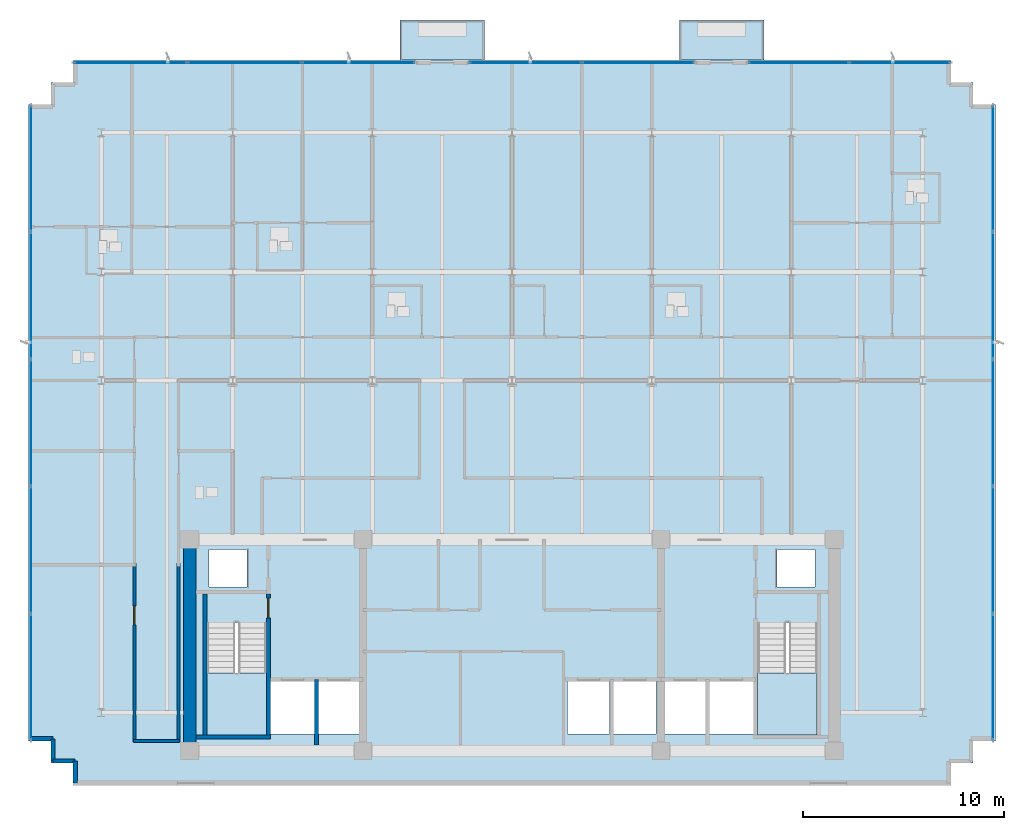
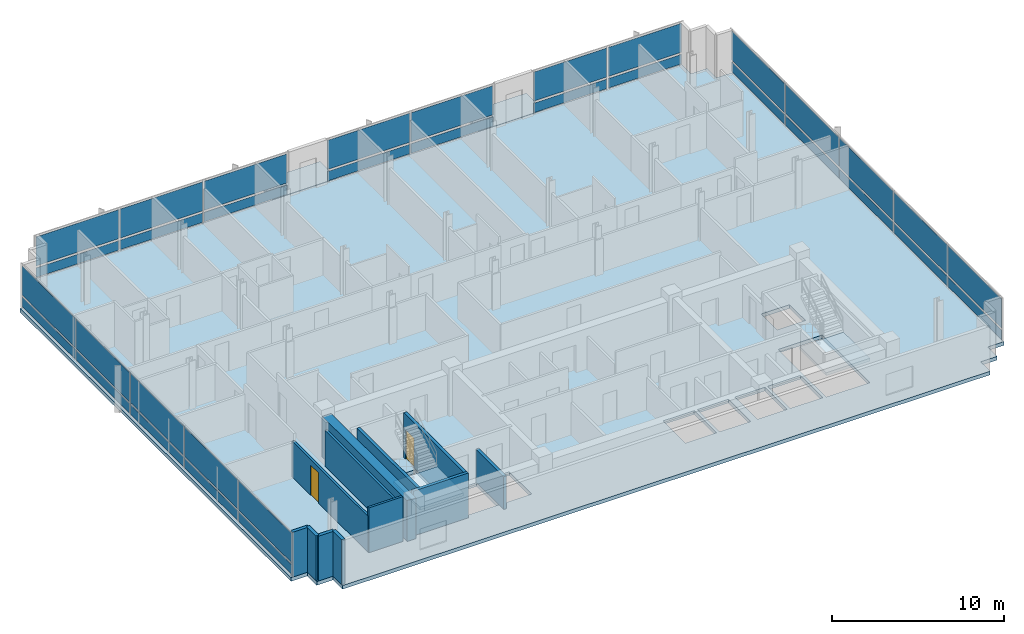
# One storey, part 7 of 14: 34 plates, 12 walls, 5 slabs, 2 doors, 2 openings, 7 elements without a shape of their own.
"""IFC4 building model written with IfcOpenShell, lengths in metres."""

from ifc_helpers import new_model, si_unit, direction, frame, frame_2d, origin, origin_2d, place, context, subcontext, project, spatial, polyline, rectangle, outline, extrude, material, layer, layer_set, type_object, element, fill, aggregate, save


model = new_model("IFC4")

# Units and contexts
model_context = context("Model", 3, precision=1e-05, world=origin(), true_north=direction((0.0, 1.0)))
body_context = subcontext(model_context, "Body", "Model", "MODEL_VIEW")
ifc_project = project(units=[si_unit("LENGTHUNIT", "METRE"), si_unit("AREAUNIT", "SQUARE_METRE"), si_unit("VOLUMEUNIT", "CUBIC_METRE"), si_unit("PLANEANGLEUNIT", "RADIAN"), si_unit("MASSUNIT", "GRAM", prefix="KILO")], contexts=[model_context])

# Site, building, storey
site_placement = place(None, origin())
site = spatial("IfcSite", under=ifc_project, at=site_placement, CompositionType="ELEMENT")
building_placement = place(site_placement, origin())
building = spatial("IfcBuilding", under=site, at=building_placement, Name="Solmavex Isthmus Hotel", CompositionType="ELEMENT")
storey_placement = place(building_placement, frame((0.0, 0.0, 248.85009765625)))
storey = spatial("IfcBuildingStorey", under=building, at=storey_placement, Name="L67", CompositionType="ELEMENT", Elevation=248.85009765625)

# Curtain wall, plates
ifc_material_1 = material(Name="Aluminium alloy 6063-T6", Category="aluminium")
curtain_wall_type = type_object("IfcCurtainWallType", Name="CW-SYS-04", PredefinedType="NOTDEFINED", material=ifc_material_1)
curtain_wall_1_placement = place(storey_placement, origin())
curtain_wall_1 = element("IfcCurtainWall", 1, at=curtain_wall_1_placement, inside=storey, type_object=curtain_wall_type, Name="Stick Curtain Wall CWL-L67-N1", PredefinedType="NOTDEFINED")
ifc_material_2 = material(Name="Clear low-E laminated glass", Category="glass")
ifc_layer_1 = layer(ifc_material_2, 0.033935546875)
ifc_layer_set_1 = layer_set([ifc_layer_1], Name="Clear low-E laminated glass")
plate_type = type_object("IfcPlateType", Name="CW-SYS-04-PNL", PredefinedType="CURTAIN_PANEL", material=ifc_layer_set_1)
plate_1_placement = place(storey_placement, frame((-18.942626953125, 21.179931640625, 0.14990234375), z_axis=(0.0, 0.0, 1.0), x_axis=(1.0, 0.0, 0.0)))
plate_1 = element("IfcPlate", 2, at=plate_1_placement, type_object=plate_type, Name="CW-04 panel 1.1", PredefinedType="CURTAIN_PANEL", context=body_context, shape_type="SweptSolid", body=[
    extrude(rectangle(XDim=5.56494140625, YDim=0.033935546875, at=origin_2d()), origin(), (0.0, 0.0, 1.0), 0.675048828125),
])
plate_2_placement = place(storey_placement, frame((-18.942626953125, 21.179931640625, 0.974853515625), z_axis=(0.0, 0.0, 1.0), x_axis=(1.0, 0.0, 0.0)))
plate_2 = element("IfcPlate", 3, at=plate_2_placement, type_object=plate_type, Name="CW-04 panel 1.2", PredefinedType="CURTAIN_PANEL", context=body_context, shape_type="SweptSolid", body=[
    extrude(rectangle(XDim=5.56494140625, YDim=0.033935546875, at=origin_2d()), origin(), (0.0, 0.0, 1.0), 2.06494140625),
])
plate_3_placement = place(storey_placement, frame((-13.283935546875, 21.179931640625, 0.14990234375), z_axis=(0.0, 0.0, 1.0), x_axis=(1.0, 0.0, 0.0)))
plate_3 = element("IfcPlate", 4, at=plate_3_placement, type_object=plate_type, Name="CW-04 panel 2.1", PredefinedType="CURTAIN_PANEL", context=body_context, shape_type="SweptSolid", body=[
    extrude(rectangle(XDim=5.602294921875, YDim=0.033935546875, at=origin_2d()), origin(), (0.0, 0.0, 1.0), 0.675048828125),
])
plate_4_placement = place(storey_placement, frame((-13.283935546875, 21.179931640625, 0.974853515625), z_axis=(0.0, 0.0, 1.0), x_axis=(1.0, 0.0, 0.0)))
plate_4 = element("IfcPlate", 5, at=plate_4_placement, type_object=plate_type, Name="CW-04 panel 2.2", PredefinedType="CURTAIN_PANEL", context=body_context, shape_type="SweptSolid", body=[
    extrude(rectangle(XDim=5.602294921875, YDim=0.033935546875, at=origin_2d()), origin(), (0.0, 0.0, 1.0), 2.06494140625),
])
plate_5_placement = place(storey_placement, frame((-7.62548828125, 21.179931640625, 0.14990234375), z_axis=(0.0, 0.0, 1.0), x_axis=(1.0, 0.0, 0.0)))
plate_5 = element("IfcPlate", 6, at=plate_5_placement, type_object=plate_type, Name="CW-04 panel 3.1", PredefinedType="CURTAIN_PANEL", context=body_context, shape_type="SweptSolid", body=[
    extrude(rectangle(XDim=5.56494140625, YDim=0.033935546875, at=origin_2d()), origin(), (0.0, 0.0, 1.0), 0.675048828125),
])
plate_6_placement = place(storey_placement, frame((-7.62548828125, 21.179931640625, 0.974853515625), z_axis=(0.0, 0.0, 1.0), x_axis=(1.0, 0.0, 0.0)))
plate_6 = element("IfcPlate", 7, at=plate_6_placement, type_object=plate_type, Name="CW-04 panel 3.2", PredefinedType="CURTAIN_PANEL", context=body_context, shape_type="SweptSolid", body=[
    extrude(rectangle(XDim=5.56494140625, YDim=0.033935546875, at=origin_2d()), origin(), (0.0, 0.0, 1.0), 2.06494140625),
])
aggregate(curtain_wall_1, [plate_1, plate_2, plate_3, plate_4, plate_5, plate_6])

curtain_wall_2_placement = place(storey_placement, origin())
curtain_wall_2 = element("IfcCurtainWall", 8, at=curtain_wall_2_placement, inside=storey, type_object=curtain_wall_type, Name="Stick Curtain Wall CWL-L67-N2", PredefinedType="NOTDEFINED")
plate_7_placement = place(storey_placement, frame((0.668701171875, 21.179931640625, 0.14990234375), z_axis=(0.0, 0.0, 1.0), x_axis=(1.0, 0.0, 0.0)))
plate_7 = element("IfcPlate", 9, at=plate_7_placement, type_object=plate_type, Name="CW-04 panel 1.1", PredefinedType="CURTAIN_PANEL", context=body_context, shape_type="SweptSolid", body=[
    extrude(rectangle(XDim=5.5234375, YDim=0.033935546875, at=origin_2d()), origin(), (0.0, 0.0, 1.0), 0.675048828125),
])
plate_8_placement = place(storey_placement, frame((0.668701171875, 21.179931640625, 0.974853515625), z_axis=(0.0, 0.0, 1.0), x_axis=(1.0, 0.0, 0.0)))
plate_8 = element("IfcPlate", 10, at=plate_8_placement, type_object=plate_type, Name="CW-04 panel 1.2", PredefinedType="CURTAIN_PANEL", context=body_context, shape_type="SweptSolid", body=[
    extrude(rectangle(XDim=5.5234375, YDim=0.033935546875, at=origin_2d()), origin(), (0.0, 0.0, 1.0), 2.06494140625),
])
plate_9_placement = place(storey_placement, frame((6.267333984375, 21.179931640625, 0.14990234375), z_axis=(0.0, 0.0, 1.0), x_axis=(1.0, 0.0, 0.0)))
plate_9 = element("IfcPlate", 11, at=plate_9_placement, type_object=plate_type, Name="CW-04 panel 2.1", PredefinedType="CURTAIN_PANEL", context=body_context, shape_type="SweptSolid", body=[
    extrude(rectangle(XDim=5.5234375, YDim=0.033935546875, at=origin_2d()), origin(), (0.0, 0.0, 1.0), 0.675048828125),
])
plate_10_placement = place(storey_placement, frame((6.267333984375, 21.179931640625, 0.974853515625), z_axis=(0.0, 0.0, 1.0), x_axis=(1.0, 0.0, 0.0)))
plate_10 = element("IfcPlate", 12, at=plate_10_placement, type_object=plate_type, Name="CW-04 panel 2.2", PredefinedType="CURTAIN_PANEL", context=body_context, shape_type="SweptSolid", body=[
    extrude(rectangle(XDim=5.5234375, YDim=0.033935546875, at=origin_2d()), origin(), (0.0, 0.0, 1.0), 2.06494140625),
])
aggregate(curtain_wall_2, [plate_7, plate_8, plate_9, plate_10])

curtain_wall_3_placement = place(storey_placement, origin())
curtain_wall_3 = element("IfcCurtainWall", 13, at=curtain_wall_3_placement, inside=storey, type_object=curtain_wall_type, Name="Stick Curtain Wall CWL-L67-N3", PredefinedType="NOTDEFINED")
plate_11_placement = place(storey_placement, frame((14.246826171875, 21.179931640625, 0.14990234375), z_axis=(0.0, 0.0, 1.0), x_axis=(1.0, 0.0, 0.0)))
plate_11 = element("IfcPlate", 14, at=plate_11_placement, type_object=plate_type, Name="CW-04 panel 1.1", PredefinedType="CURTAIN_PANEL", context=body_context, shape_type="SweptSolid", body=[
    extrude(rectangle(XDim=4.935546875, YDim=0.033935546875, at=origin_2d()), origin(), (0.0, 0.0, 1.0), 0.675048828125),
])
plate_12_placement = place(storey_placement, frame((14.246826171875, 21.179931640625, 0.974853515625), z_axis=(0.0, 0.0, 1.0), x_axis=(1.0, 0.0, 0.0)))
plate_12 = element("IfcPlate", 15, at=plate_12_placement, type_object=plate_type, Name="CW-04 panel 1.2", PredefinedType="CURTAIN_PANEL", context=body_context, shape_type="SweptSolid", body=[
    extrude(rectangle(XDim=4.935546875, YDim=0.033935546875, at=origin_2d()), origin(), (0.0, 0.0, 1.0), 2.06494140625),
])
plate_13_placement = place(storey_placement, frame((19.25732421875, 21.179931640625, 0.14990234375), z_axis=(0.0, 0.0, 1.0), x_axis=(1.0, 0.0, 0.0)))
plate_13 = element("IfcPlate", 16, at=plate_13_placement, type_object=plate_type, Name="CW-04 panel 2.1", PredefinedType="CURTAIN_PANEL", context=body_context, shape_type="SweptSolid", body=[
    extrude(rectangle(XDim=4.935546875, YDim=0.033935546875, at=origin_2d()), origin(), (0.0, 0.0, 1.0), 0.675048828125),
])
plate_14_placement = place(storey_placement, frame((19.25732421875, 21.179931640625, 0.974853515625), z_axis=(0.0, 0.0, 1.0), x_axis=(1.0, 0.0, 0.0)))
plate_14 = element("IfcPlate", 17, at=plate_14_placement, type_object=plate_type, Name="CW-04 panel 2.2", PredefinedType="CURTAIN_PANEL", context=body_context, shape_type="SweptSolid", body=[
    extrude(rectangle(XDim=4.935546875, YDim=0.033935546875, at=origin_2d()), origin(), (0.0, 0.0, 1.0), 2.06494140625),
])
aggregate(curtain_wall_3, [plate_11, plate_12, plate_13, plate_14])

curtain_wall_4_placement = place(storey_placement, origin())
curtain_wall_4 = element("IfcCurtainWall", 18, at=curtain_wall_4_placement, inside=storey, type_object=curtain_wall_type, Name="Stick Curtain Wall CWL-L67-W1", PredefinedType="NOTDEFINED")
plate_15_placement = place(storey_placement, frame((-23.8798828125, -9.3212890625, 0.14990234375), z_axis=(0.0, 0.0, 1.0), x_axis=(0.0, 1.0, 0.0)))
plate_15 = element("IfcPlate", 19, at=plate_15_placement, type_object=plate_type, Name="CW-04 panel 1.1", PredefinedType="CURTAIN_PANEL", context=body_context, shape_type="SweptSolid", body=[
    extrude(rectangle(XDim=6.20751953125, YDim=0.033935546875, at=origin_2d()), origin(), (0.0, 0.0, 1.0), 0.675048828125),
])
plate_16_placement = place(storey_placement, frame((-23.8798828125, -9.3212890625, 0.974853515625), z_axis=(0.0, 0.0, 1.0), x_axis=(0.0, 1.0, 0.0)))
plate_16 = element("IfcPlate", 20, at=plate_16_placement, type_object=plate_type, Name="CW-04 panel 1.2", PredefinedType="CURTAIN_PANEL", context=body_context, shape_type="SweptSolid", body=[
    extrude(rectangle(XDim=6.20751953125, YDim=0.033935546875, at=origin_2d()), origin(), (0.0, 0.0, 1.0), 2.06494140625),
])
plate_17_placement = place(storey_placement, frame((-23.8798828125, -3.02001953125, 0.14990234375), z_axis=(0.0, 0.0, 1.0), x_axis=(0.0, 1.0, 0.0)))
plate_17 = element("IfcPlate", 21, at=plate_17_placement, type_object=plate_type, Name="CW-04 panel 2.1", PredefinedType="CURTAIN_PANEL", context=body_context, shape_type="SweptSolid", body=[
    extrude(rectangle(XDim=6.2451171875, YDim=0.033935546875, at=origin_2d()), origin(), (0.0, 0.0, 1.0), 0.675048828125),
])
plate_18_placement = place(storey_placement, frame((-23.8798828125, -3.02001953125, 0.974853515625), z_axis=(0.0, 0.0, 1.0), x_axis=(0.0, 1.0, 0.0)))
plate_18 = element("IfcPlate", 22, at=plate_18_placement, type_object=plate_type, Name="CW-04 panel 2.2", PredefinedType="CURTAIN_PANEL", context=body_context, shape_type="SweptSolid", body=[
    extrude(rectangle(XDim=6.2451171875, YDim=0.033935546875, at=origin_2d()), origin(), (0.0, 0.0, 1.0), 2.06494140625),
])
plate_19_placement = place(storey_placement, frame((-23.8798828125, 3.300048828125, 0.14990234375), z_axis=(0.0, 0.0, 1.0), x_axis=(0.0, 1.0, 0.0)))
plate_19 = element("IfcPlate", 23, at=plate_19_placement, type_object=plate_type, Name="CW-04 panel 3.1", PredefinedType="CURTAIN_PANEL", context=body_context, shape_type="SweptSolid", body=[
    extrude(rectangle(XDim=6.2451171875, YDim=0.033935546875, at=origin_2d()), origin(), (0.0, 0.0, 1.0), 0.675048828125),
])
plate_20_placement = place(storey_placement, frame((-23.8798828125, 3.300048828125, 0.974853515625), z_axis=(0.0, 0.0, 1.0), x_axis=(0.0, 1.0, 0.0)))
plate_20 = element("IfcPlate", 24, at=plate_20_placement, type_object=plate_type, Name="CW-04 panel 3.2", PredefinedType="CURTAIN_PANEL", context=body_context, shape_type="SweptSolid", body=[
    extrude(rectangle(XDim=6.2451171875, YDim=0.033935546875, at=origin_2d()), origin(), (0.0, 0.0, 1.0), 2.06494140625),
])
plate_21_placement = place(storey_placement, frame((-23.8798828125, 9.6201171875, 0.14990234375), z_axis=(0.0, 0.0, 1.0), x_axis=(0.0, 1.0, 0.0)))
plate_21 = element("IfcPlate", 25, at=plate_21_placement, type_object=plate_type, Name="CW-04 panel 4.1", PredefinedType="CURTAIN_PANEL", context=body_context, shape_type="SweptSolid", body=[
    extrude(rectangle(XDim=6.2451171875, YDim=0.033935546875, at=origin_2d()), origin(), (0.0, 0.0, 1.0), 0.675048828125),
])
plate_22_placement = place(storey_placement, frame((-23.8798828125, 9.6201171875, 0.974853515625), z_axis=(0.0, 0.0, 1.0), x_axis=(0.0, 1.0, 0.0)))
plate_22 = element("IfcPlate", 26, at=plate_22_placement, type_object=plate_type, Name="CW-04 panel 4.2", PredefinedType="CURTAIN_PANEL", context=body_context, shape_type="SweptSolid", body=[
    extrude(rectangle(XDim=6.2451171875, YDim=0.033935546875, at=origin_2d()), origin(), (0.0, 0.0, 1.0), 2.06494140625),
])
plate_23_placement = place(storey_placement, frame((-23.8798828125, 15.921142578125, 0.14990234375), z_axis=(0.0, 0.0, 1.0), x_axis=(0.0, 1.0, 0.0)))
plate_23 = element("IfcPlate", 27, at=plate_23_placement, type_object=plate_type, Name="CW-04 panel 5.1", PredefinedType="CURTAIN_PANEL", context=body_context, shape_type="SweptSolid", body=[
    extrude(rectangle(XDim=6.20751953125, YDim=0.033935546875, at=origin_2d()), origin(), (0.0, 0.0, 1.0), 0.675048828125),
])
plate_24_placement = place(storey_placement, frame((-23.8798828125, 15.921142578125, 0.974853515625), z_axis=(0.0, 0.0, 1.0), x_axis=(0.0, 1.0, 0.0)))
plate_24 = element("IfcPlate", 28, at=plate_24_placement, type_object=plate_type, Name="CW-04 panel 5.2", PredefinedType="CURTAIN_PANEL", context=body_context, shape_type="SweptSolid", body=[
    extrude(rectangle(XDim=6.20751953125, YDim=0.033935546875, at=origin_2d()), origin(), (0.0, 0.0, 1.0), 2.06494140625),
])
aggregate(curtain_wall_4, [plate_15, plate_16, plate_17, plate_18, plate_19, plate_20, plate_21, plate_22, plate_23, plate_24])

curtain_wall_5_placement = place(storey_placement, origin())
curtain_wall_5 = element("IfcCurtainWall", 29, at=curtain_wall_5_placement, inside=storey, type_object=curtain_wall_type, Name="Stick Curtain Wall CWL-L67-E1", PredefinedType="NOTDEFINED")
plate_25_placement = place(storey_placement, frame((23.8798828125, -9.3212890625, 0.14990234375), z_axis=(0.0, 0.0, 1.0), x_axis=(0.0, 1.0, 0.0)))
plate_25 = element("IfcPlate", 30, at=plate_25_placement, type_object=plate_type, Name="CW-04 panel 1.1", PredefinedType="CURTAIN_PANEL", context=body_context, shape_type="SweptSolid", body=[
    extrude(rectangle(XDim=6.20751953125, YDim=0.033935546875, at=origin_2d()), origin(), (0.0, 0.0, 1.0), 0.675048828125),
])
plate_26_placement = place(storey_placement, frame((23.8798828125, -9.3212890625, 0.974853515625), z_axis=(0.0, 0.0, 1.0), x_axis=(0.0, 1.0, 0.0)))
plate_26 = element("IfcPlate", 31, at=plate_26_placement, type_object=plate_type, Name="CW-04 panel 1.2", PredefinedType="CURTAIN_PANEL", context=body_context, shape_type="SweptSolid", body=[
    extrude(rectangle(XDim=6.20751953125, YDim=0.033935546875, at=origin_2d()), origin(), (0.0, 0.0, 1.0), 2.06494140625),
])
plate_27_placement = place(storey_placement, frame((23.8798828125, -3.02001953125, 0.14990234375), z_axis=(0.0, 0.0, 1.0), x_axis=(0.0, 1.0, 0.0)))
plate_27 = element("IfcPlate", 32, at=plate_27_placement, type_object=plate_type, Name="CW-04 panel 2.1", PredefinedType="CURTAIN_PANEL", context=body_context, shape_type="SweptSolid", body=[
    extrude(rectangle(XDim=6.2451171875, YDim=0.033935546875, at=origin_2d()), origin(), (0.0, 0.0, 1.0), 0.675048828125),
])
plate_28_placement = place(storey_placement, frame((23.8798828125, -3.02001953125, 0.974853515625), z_axis=(0.0, 0.0, 1.0), x_axis=(0.0, 1.0, 0.0)))
plate_28 = element("IfcPlate", 33, at=plate_28_placement, type_object=plate_type, Name="CW-04 panel 2.2", PredefinedType="CURTAIN_PANEL", context=body_context, shape_type="SweptSolid", body=[
    extrude(rectangle(XDim=6.2451171875, YDim=0.033935546875, at=origin_2d()), origin(), (0.0, 0.0, 1.0), 2.06494140625),
])
plate_29_placement = place(storey_placement, frame((23.8798828125, 3.300048828125, 0.14990234375), z_axis=(0.0, 0.0, 1.0), x_axis=(0.0, 1.0, 0.0)))
plate_29 = element("IfcPlate", 34, at=plate_29_placement, type_object=plate_type, Name="CW-04 panel 3.1", PredefinedType="CURTAIN_PANEL", context=body_context, shape_type="SweptSolid", body=[
    extrude(rectangle(XDim=6.2451171875, YDim=0.033935546875, at=origin_2d()), origin(), (0.0, 0.0, 1.0), 0.675048828125),
])
plate_30_placement = place(storey_placement, frame((23.8798828125, 3.300048828125, 0.974853515625), z_axis=(0.0, 0.0, 1.0), x_axis=(0.0, 1.0, 0.0)))
plate_30 = element("IfcPlate", 35, at=plate_30_placement, type_object=plate_type, Name="CW-04 panel 3.2", PredefinedType="CURTAIN_PANEL", context=body_context, shape_type="SweptSolid", body=[
    extrude(rectangle(XDim=6.2451171875, YDim=0.033935546875, at=origin_2d()), origin(), (0.0, 0.0, 1.0), 2.06494140625),
])
plate_31_placement = place(storey_placement, frame((23.8798828125, 9.6201171875, 0.14990234375), z_axis=(0.0, 0.0, 1.0), x_axis=(0.0, 1.0, 0.0)))
plate_31 = element("IfcPlate", 36, at=plate_31_placement, type_object=plate_type, Name="CW-04 panel 4.1", PredefinedType="CURTAIN_PANEL", context=body_context, shape_type="SweptSolid", body=[
    extrude(rectangle(XDim=6.2451171875, YDim=0.033935546875, at=origin_2d()), origin(), (0.0, 0.0, 1.0), 0.675048828125),
])
plate_32_placement = place(storey_placement, frame((23.8798828125, 9.6201171875, 0.974853515625), z_axis=(0.0, 0.0, 1.0), x_axis=(0.0, 1.0, 0.0)))
plate_32 = element("IfcPlate", 37, at=plate_32_placement, type_object=plate_type, Name="CW-04 panel 4.2", PredefinedType="CURTAIN_PANEL", context=body_context, shape_type="SweptSolid", body=[
    extrude(rectangle(XDim=6.2451171875, YDim=0.033935546875, at=origin_2d()), origin(), (0.0, 0.0, 1.0), 2.06494140625),
])
plate_33_placement = place(storey_placement, frame((23.8798828125, 15.921142578125, 0.14990234375), z_axis=(0.0, 0.0, 1.0), x_axis=(0.0, 1.0, 0.0)))
plate_33 = element("IfcPlate", 38, at=plate_33_placement, type_object=plate_type, Name="CW-04 panel 5.1", PredefinedType="CURTAIN_PANEL", context=body_context, shape_type="SweptSolid", body=[
    extrude(rectangle(XDim=6.20751953125, YDim=0.033935546875, at=origin_2d()), origin(), (0.0, 0.0, 1.0), 0.675048828125),
])
plate_34_placement = place(storey_placement, frame((23.8798828125, 15.921142578125, 0.974853515625), z_axis=(0.0, 0.0, 1.0), x_axis=(0.0, 1.0, 0.0)))
plate_34 = element("IfcPlate", 39, at=plate_34_placement, type_object=plate_type, Name="CW-04 panel 5.2", PredefinedType="CURTAIN_PANEL", context=body_context, shape_type="SweptSolid", body=[
    extrude(rectangle(XDim=6.20751953125, YDim=0.033935546875, at=origin_2d()), origin(), (0.0, 0.0, 1.0), 2.06494140625),
])
aggregate(curtain_wall_5, [plate_25, plate_26, plate_27, plate_28, plate_29, plate_30, plate_31, plate_32, plate_33, plate_34])

# Slabs
ifc_material_3 = material(Name="Concrete C40/50", Category="concrete")
ifc_layer_2 = layer(ifc_material_3, 0.239990234375)
ifc_layer_set_2 = layer_set([ifc_layer_2], Name="Concrete C40/50")
slab_type_1 = type_object("IfcSlabType", Name="SLAB-BALC-240", PredefinedType="FLOOR", material=ifc_layer_set_2)
slab_1_placement = place(storey_placement, frame((0.0, 0.0, -0.239990234375)))
element("IfcSlab", 40, at=slab_1_placement, inside=storey, type_object=slab_type_1, Name="Tree-Planter Balcony Slab L67-B1", PredefinedType="FLOOR", context=body_context, shape_type="SweptSolid", body=[
    extrude(outline(polyline([(-5.568115234375, 21.31494140625), (-1.367919921875, 21.31494140625), (-1.367919921875, 23.300048828125), (-5.568115234375, 23.300048828125), (-5.568115234375, 21.31494140625)])), origin(), (0.0, 0.0, 1.0), 0.239990234375),
])
slab_2_placement = place(storey_placement, frame((0.0, 0.0, -0.239990234375)))
element("IfcSlab", 41, at=slab_2_placement, inside=storey, type_object=slab_type_1, Name="Tree-Planter Balcony Slab L67-B2", PredefinedType="FLOOR", context=body_context, shape_type="SweptSolid", body=[
    extrude(outline(polyline([(8.303955078125, 21.31494140625), (12.50390625, 21.31494140625), (12.50390625, 23.300048828125), (8.303955078125, 23.300048828125), (8.303955078125, 21.31494140625)])), origin(), (0.0, 0.0, 1.0), 0.239990234375),
])
ifc_layer_3 = layer(ifc_material_3, 0.260009765625)
ifc_layer_set_3 = layer_set([ifc_layer_3], Name="Concrete C40/50")
slab_type_2 = type_object("IfcSlabType", Name="SLAB-TYP-260", PredefinedType="FLOOR", material=ifc_layer_set_3)
slab_3_placement = place(storey_placement, frame((0.0, 0.0, -0.260009765625)))
element("IfcSlab", 42, at=slab_3_placement, inside=storey, type_object=slab_type_2, Name="Tower Structural Floor Slab L67", PredefinedType="FLOOR", context=body_context, shape_type="SweptSolid", body=[
    extrude(outline(polyline([(-20.699951171875, -14.699951171875), (20.699951171875, -14.699951171875), (21.800048828125, -14.699951171875), (21.800048828125, -13.60009765625), (22.89990234375, -13.60009765625), (22.89990234375, -12.5), (24.0, -12.5), (24.0, -11.39990234375), (24.0, 18.0), (24.0, 19.10009765625), (22.89990234375, 19.10009765625), (22.89990234375, 20.199951171875), (21.800048828125, 20.199951171875), (21.800048828125, 21.300048828125), (20.699951171875, 21.300048828125), (-20.699951171875, 21.300048828125), (-21.800048828125, 21.300048828125), (-21.800048828125, 20.199951171875), (-22.89990234375, 20.199951171875), (-22.89990234375, 19.10009765625), (-24.0, 19.10009765625), (-24.0, 18.0), (-24.0, -11.39990234375), (-24.0, -12.5), (-22.89990234375, -12.5), (-22.89990234375, -13.60009765625), (-21.800048828125, -13.60009765625), (-21.800048828125, -14.699951171875), (-20.699951171875, -14.699951171875)]), holes=[polyline([(-15.14990234375, -6.617919921875), (-15.14990234375, -12.199951171875), (-12.199951171875, -12.199951171875), (-12.199951171875, -6.617919921875), (-15.14990234375, -6.617919921875)]), polyline([(12.199951171875, -6.617919921875), (12.199951171875, -12.199951171875), (15.14990234375, -12.199951171875), (15.14990234375, -6.617919921875), (12.199951171875, -6.617919921875)]), polyline([(-12.0, -12.14990234375), (-9.800048828125, -12.14990234375), (-9.800048828125, -9.550048828125), (-12.0, -9.550048828125), (-12.0, -12.14990234375)]), polyline([(9.800048828125, -12.14990234375), (12.0, -12.14990234375), (12.0, -9.550048828125), (9.800048828125, -9.550048828125), (9.800048828125, -12.14990234375)]), polyline([(-9.60009765625, -12.14990234375), (-7.60009765625, -12.14990234375), (-7.60009765625, -9.550048828125), (-9.60009765625, -9.550048828125), (-9.60009765625, -12.14990234375)]), polyline([(7.60009765625, -12.14990234375), (9.60009765625, -12.14990234375), (9.60009765625, -9.550048828125), (7.60009765625, -9.550048828125), (7.60009765625, -12.14990234375)]), polyline([(2.75, -12.14990234375), (4.85009765625, -12.14990234375), (4.85009765625, -9.550048828125), (2.75, -9.550048828125), (2.75, -12.14990234375)]), polyline([(5.050048828125, -12.14990234375), (7.14990234375, -12.14990234375), (7.14990234375, -9.550048828125), (5.050048828125, -9.550048828125), (5.050048828125, -12.14990234375)]), polyline([(-15.050048828125, -4.85009765625), (-13.14990234375, -4.85009765625), (-13.14990234375, -3.0), (-15.050048828125, -3.0), (-15.050048828125, -4.85009765625)]), polyline([(13.14990234375, -4.85009765625), (15.050048828125, -4.85009765625), (15.050048828125, -3.0), (13.14990234375, -3.0), (13.14990234375, -4.85009765625)])]), origin(), (0.0, 0.0, 1.0), 0.260009765625),
])

# Stair, slab
stair_type_1 = type_object("IfcStairType", Name="STR-ST-1", PredefinedType="HALF_TURN_STAIR", material=ifc_material_3)
stair_1_placement = place(storey_placement, origin())
stair_1 = element("IfcStair", 43, at=stair_1_placement, inside=storey, type_object=stair_type_1, Name="L67 Protected Exit Stair ST-1", PredefinedType="HALF_TURN_STAIR")
ifc_layer_4 = layer(ifc_material_3, 0.219970703125)
ifc_layer_set_4 = layer_set([ifc_layer_4], Name="Concrete C40/50")
slab_type_3 = type_object("IfcSlabType", Name="SLD-ST-1", PredefinedType="LANDING", material=ifc_layer_set_4)
slab_4_placement = place(storey_placement, frame((0.0, 0.0, 1.52490234375)))
slab_4 = element("IfcSlab", 44, at=slab_4_placement, type_object=slab_type_3, Name="ST-1 landing 1", PredefinedType="LANDING", context=body_context, shape_type="SweptSolid", body=[
    extrude(outline(polyline([(-15.14990234375, -9.1201171875), (-15.14990234375, -12.199951171875), (-12.199951171875, -12.199951171875), (-12.199951171875, -9.1201171875), (-15.14990234375, -9.1201171875)])), origin(), (0.0, 0.0, 1.0), 0.199951171875),
])
aggregate(stair_1, [slab_4])

stair_type_2 = type_object("IfcStairType", Name="STR-ST-2", PredefinedType="HALF_TURN_STAIR", material=ifc_material_3)
stair_2_placement = place(storey_placement, origin())
stair_2 = element("IfcStair", 45, at=stair_2_placement, inside=storey, type_object=stair_type_2, Name="L67 Protected Exit Stair ST-2", PredefinedType="HALF_TURN_STAIR")
ifc_layer_5 = layer(ifc_material_3, 0.219970703125)
ifc_layer_set_5 = layer_set([ifc_layer_5], Name="Concrete C40/50")
slab_type_4 = type_object("IfcSlabType", Name="SLD-ST-2", PredefinedType="LANDING", material=ifc_layer_set_5)
slab_5_placement = place(storey_placement, frame((0.0, 0.0, 1.52490234375)))
slab_5 = element("IfcSlab", 46, at=slab_5_placement, type_object=slab_type_4, Name="ST-2 landing 1", PredefinedType="LANDING", context=body_context, shape_type="SweptSolid", body=[
    extrude(outline(polyline([(12.199951171875, -9.1201171875), (12.199951171875, -12.199951171875), (15.14990234375, -12.199951171875), (15.14990234375, -9.1201171875), (12.199951171875, -9.1201171875)])), origin(), (0.0, 0.0, 1.0), 0.199951171875),
])
aggregate(stair_2, [slab_5])

# Walls
ifc_material_4 = material(Name="Precast Concrete C40/50", Category="concrete")
ifc_layer_6 = layer(ifc_material_4, 0.25)
ifc_layer_set_6 = layer_set([ifc_layer_6], Name="Precast Concrete C40/50")
wall_type_1 = type_object("IfcWallType", Name="EW-TWR-250", PredefinedType="STANDARD", material=ifc_layer_set_6)
for number, where, z_axis, x_axis, name in (
    (47, (-21.68994140625, -14.590087890625, 0.0), (0.0, 0.0, 1.0), (0.0, 1.0, 0.0), "Serrated Corner Facade Panel L67-01"),
    (48, (-21.68994140625, -13.489990234375, 0.0), (0.0, 0.0, 1.0), (-1.0, 0.0, 0.0), "Serrated Corner Facade Panel L67-02"),
    (49, (-22.7900390625, -13.489990234375, 0.0), (0.0, 0.0, 1.0), (0.0, 1.0, 0.0), "Serrated Corner Facade Panel L67-03"),
):
    element("IfcWall", number, at=place(storey_placement, frame(where, z_axis=z_axis, x_axis=x_axis)), inside=storey, type_object=wall_type_1, Name=name, PredefinedType="STANDARD", context=body_context, shape_type="SweptSolid", body=[
        extrude(rectangle(XDim=1.10009765625, YDim=0.219970703125, at=frame_2d((0.550048828125, 0.0))), origin(), (0.0, 0.0, 1.0), 3.18994140625),
    ])
wall_1_placement = place(storey_placement, frame((-22.7900390625, -12.389892578125, 0.0), z_axis=(0.0, 0.0, 1.0), x_axis=(-1.0, 0.0, 0.0)))
element("IfcWall", 50, at=wall_1_placement, inside=storey, type_object=wall_type_1, Name="Serrated Corner Facade Panel L67-04", PredefinedType="STANDARD", context=body_context, shape_type="SweptSolid", body=[
    extrude(rectangle(XDim=1.099853515625, YDim=0.219970703125, at=frame_2d((0.5498046875, 0.0))), origin(), (0.0, 0.0, 1.0), 3.18994140625),
])
ifc_material_5 = material(Name="Gypsum plasterboard lining", Category="gypsum")
ifc_layer_7 = layer(ifc_material_5, 0.14990234375)
ifc_layer_set_7 = layer_set([ifc_layer_7], Name="Gypsum plasterboard lining")
wall_type_2 = type_object("IfcWallType", Name="IW-CORR-150", PredefinedType="PARTITIONING", material=ifc_layer_set_7)
wall_2_placement = place(storey_placement, frame((-16.550048828125, -3.66796875, 0.0), z_axis=(0.0, 0.0, 1.0), x_axis=(0.0, -1.0, 0.0)))
element("IfcWall", 51, at=wall_2_placement, inside=storey, type_object=wall_type_2, Name="Interior Partition Wall W-L67-P034", PredefinedType="PARTITIONING", context=body_context, shape_type="SweptSolid", body=[
    extrude(rectangle(XDim=8.8720703125, YDim=0.14990234375, at=frame_2d((4.43603515625, 0.0))), origin(), (0.0, 0.0, 1.0), 2.557373046875),
])
wall_3_placement = place(storey_placement, frame((-16.510009765625, -12.5, 0.0), z_axis=(0.0, 0.0, 1.0), x_axis=(-1.0, 0.0, 0.0)))
element("IfcWall", 52, at=wall_3_placement, inside=storey, type_object=wall_type_2, Name="Interior Partition Wall W-L67-P035", PredefinedType="PARTITIONING", context=body_context, shape_type="SweptSolid", body=[
    extrude(rectangle(XDim=2.280029296875, YDim=0.14990234375, at=frame_2d((1.14013671875, 0.0))), origin(), (0.0, 0.0, 1.0), 3.18994140625),
])

# Wall, opening, door
wall_4_placement = place(storey_placement, frame((-18.75, -12.5400390625, 0.0), z_axis=(0.0, 0.0, 1.0), x_axis=(0.0, 1.0, 0.0)))
wall_4 = element("IfcWall", 53, at=wall_4_placement, inside=storey, type_object=wall_type_2, Name="Interior Partition Wall W-L67-P036", PredefinedType="PARTITIONING", context=body_context, shape_type="SweptSolid", body=[
    extrude(rectangle(XDim=8.8720703125, YDim=0.14990234375, at=frame_2d((4.43603515625, 0.0))), origin(), (0.0, 0.0, 1.0), 2.557373046875),
])
opening_1_placement = place(wall_4_placement, frame((5.807373046875, 0.0, 0.0)))
opening_1 = element("IfcOpeningElement", 54, at=opening_1_placement, cuts=wall_4, Name="Opening ID-C095", PredefinedType="OPENING", context=body_context, shape_type="SweptSolid", body=[
    extrude(rectangle(XDim=0.949951171875, YDim=2.14990234375, at=frame_2d((0.47509765625, 1.074951171875))), frame((0.0, 0.0849609375, 0.0), z_axis=(0.0, -1.0, 0.0), x_axis=(1.0, 0.0, 0.0)), (0.0, 0.0, 1.0), 0.169921875),
])
ifc_material_6 = material(Name="Hardwood timber", Category="wood")
door_type_1 = type_object("IfcDoorType", Name="IDR-FD60-0950", OperationType="NOTDEFINED", PredefinedType="DOOR", material=ifc_material_6)
door_1_placement = place(opening_1_placement, origin())
door_1 = element("IfcDoor", 55, at=door_1_placement, inside=storey, type_object=door_type_1, Name="Executive Hospitality Lounge Door L67-28", OperationType="SINGLE_SWING_RIGHT", OverallHeight=2.14990234375, OverallWidth=0.949951171875, PredefinedType="DOOR", context=body_context, shape_type="SweptSolid", body=[
    extrude(rectangle(XDim=0.949951171875, YDim=2.14990234375, at=frame_2d((0.47509765625, 1.074951171875))), frame((0.0, 0.02490234375, 0.0), z_axis=(0.0, -1.0, 0.0), x_axis=(1.0, 0.0, 0.0)), (0.0, 0.0, 1.0), 0.050048828125),
])
fill(opening_1, door_1)

# Walls
ifc_layer_8 = layer(ifc_material_3, 0.199951171875)
ifc_layer_set_8 = layer_set([ifc_layer_8], Name="Concrete C40/50")
wall_type_3 = type_object("IfcWallType", Name="IW-SHAFT-200", PredefinedType="PARTITIONING", material=ifc_layer_set_8)
wall_5_placement = place(storey_placement, frame((-9.699951171875, -12.699951171875, 0.0), z_axis=(0.0, 0.0, 1.0), x_axis=(0.0, 1.0, 0.0)))
element("IfcWall", 56, at=wall_5_placement, inside=storey, type_object=wall_type_3, Name="Interior Partition Wall W-L67-FFLW-M", PredefinedType="PARTITIONING", context=body_context, shape_type="SweptSolid", body=[
    extrude(rectangle(XDim=3.25, YDim=0.199951171875, at=frame_2d((1.625, 0.0))), origin(), (0.0, 0.0, 1.0), 2.324951171875),
])
ifc_material_7 = material(Name="Concrete C50/60", Category="concrete")
ifc_layer_9 = layer(ifc_material_7, 0.60009765625)
ifc_layer_set_9 = layer_set([ifc_layer_9], Name="Concrete C50/60")
wall_type_4 = type_object("IfcWallType", Name="WALL-CW-600", PredefinedType="SHEAR", material=ifc_layer_set_9)
wall_6_placement = place(storey_placement, frame((-16.0, -12.699951171875, 0.0), z_axis=(0.0, 0.0, 1.0), x_axis=(0.0, 1.0, 0.0)))
element("IfcWall", 57, at=wall_6_placement, inside=storey, type_object=wall_type_4, Name="Core Shear Wall West L67", PredefinedType="SHEAR", context=body_context, shape_type="SweptSolid", body=[
    extrude(rectangle(XDim=9.89990234375, YDim=0.60009765625, at=frame_2d((4.949951171875, 0.0))), origin(), (0.0, 0.0, 1.0), 2.909912109375),
])
ifc_layer_10 = layer(ifc_material_3, 0.199951171875)
ifc_layer_set_10 = layer_set([ifc_layer_10], Name="Concrete C40/50")
wall_type_5 = type_object("IfcWallType", Name="WALL-SW-200", PredefinedType="SOLIDWALL", material=ifc_layer_set_10)
wall_7_placement = place(storey_placement, frame((-15.699951171875, -12.300048828125, 0.0), z_axis=(0.0, 0.0, 1.0), x_axis=(1.0, 0.0, 0.0)))
element("IfcWall", 58, at=wall_7_placement, inside=storey, type_object=wall_type_5, Name="Stairwell Structural Wall SW-L67-ST1-S", PredefinedType="SOLIDWALL", context=body_context, shape_type="SweptSolid", body=[
    extrude(rectangle(XDim=3.699951171875, YDim=0.199951171875, at=frame_2d((1.85009765625, 0.0))), origin(), (0.0, 0.0, 1.0), 3.18994140625),
])
wall_8_placement = place(storey_placement, frame((-15.25, -12.199951171875, 0.0), z_axis=(0.0, 0.0, 1.0), x_axis=(0.0, 1.0, 0.0)))
element("IfcWall", 59, at=wall_8_placement, inside=storey, type_object=wall_type_5, Name="Stairwell Structural Wall SW-L67-ST1-W", PredefinedType="SOLIDWALL", context=body_context, shape_type="SweptSolid", body=[
    extrude(rectangle(XDim=7.0, YDim=0.199951171875, at=frame_2d((3.5, 0.0))), origin(), (0.0, 0.0, 1.0), 3.18994140625),
])

# Wall, opening, door
wall_9_placement = place(storey_placement, frame((-12.10009765625, -12.199951171875, 0.0), z_axis=(0.0, 0.0, 1.0), x_axis=(0.0, 1.0, 0.0)))
wall_9 = element("IfcWall", 60, at=wall_9_placement, inside=storey, type_object=wall_type_5, Name="Stairwell Structural Wall SW-L67-ST1-E", PredefinedType="SOLIDWALL", context=body_context, shape_type="SweptSolid", body=[
    extrude(rectangle(XDim=7.0, YDim=0.199951171875, at=frame_2d((3.5, 0.0))), origin(), (0.0, 0.0, 1.0), 3.18994140625),
])
opening_2_placement = place(wall_9_placement, frame((5.800048828125, 0.0, 0.0)))
opening_2 = element("IfcOpeningElement", 61, at=opening_2_placement, cuts=wall_9, Name="Opening ID-F100", PredefinedType="OPENING", context=body_context, shape_type="SweptSolid", body=[
    extrude(rectangle(XDim=1.0, YDim=2.10009765625, at=frame_2d((0.5, 1.050048828125))), frame((0.0, 0.10986328125, 0.0), z_axis=(0.0, -1.0, 0.0), x_axis=(1.0, 0.0, 0.0)), (0.0, 0.0, 1.0), 0.219970703125),
])
ifc_material_8 = material(Name="Steel ASTM A500 Grade C", Category="steel")
door_type_2 = type_object("IfcDoorType", Name="IDR-FD90-1000", OperationType="NOTDEFINED", PredefinedType="DOOR", material=ifc_material_8)
door_2_placement = place(opening_2_placement, frame((1.0, 0.0, 0.0), z_axis=(0.0, 0.0, 1.0), x_axis=(-1.0, 0.0, 0.0)))
door_2 = element("IfcDoor", 62, at=door_2_placement, inside=storey, type_object=door_type_2, Name="Stair ST-1 Fire Door L67", OperationType="SINGLE_SWING_LEFT", OverallHeight=2.10009765625, OverallWidth=1.0, PredefinedType="DOOR", context=body_context, shape_type="SweptSolid", body=[
    extrude(rectangle(XDim=1.0, YDim=2.10009765625, at=frame_2d((0.5, 1.050048828125))), frame((0.0, 0.02490234375, 0.0), z_axis=(0.0, -1.0, 0.0), x_axis=(1.0, 0.0, 0.0)), (0.0, 0.0, 1.0), 0.050048828125),
])
fill(opening_2, door_2)

save(model, "model.ifc")
